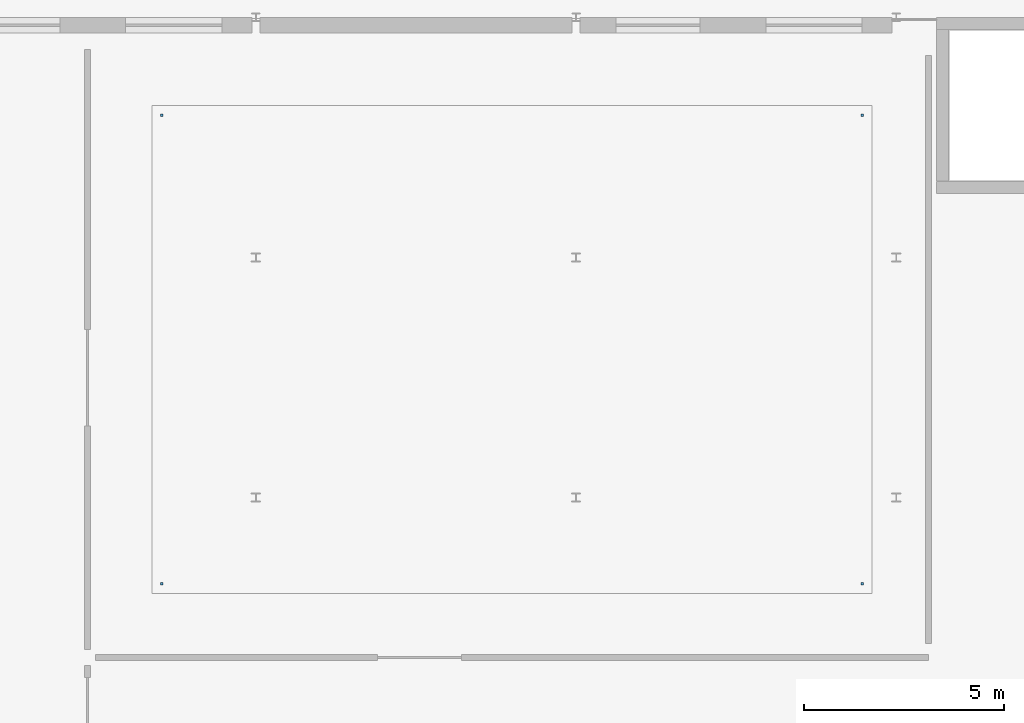
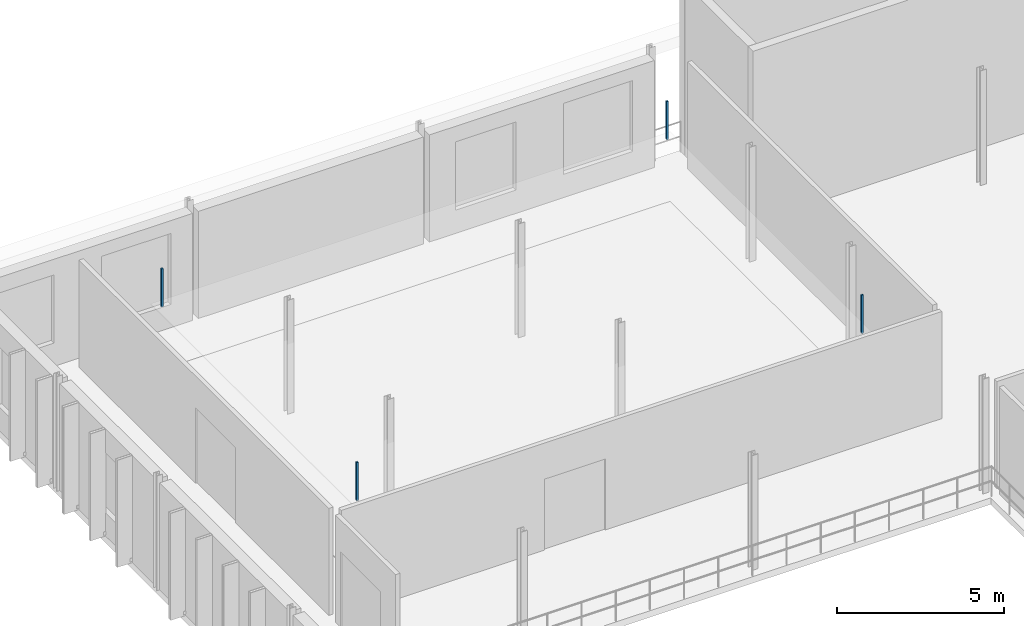
# One storey, part 50 of 67: 4 discrete accessories.
"""IFC4 building model written with IfcOpenShell, lengths in metres."""

from ifc_helpers import new_model, si_unit, direction, frame, origin, origin_2d, place, context, subcontext, project, spatial, rectangle, extrude, material, type_object, element, save


model = new_model("IFC4")

# Units and contexts
model_context = context("Model", 3, precision=1e-05, world=origin(), true_north=direction((0.0, 1.0)))
body_context = subcontext(model_context, "Body", "Model", "MODEL_VIEW")
ifc_project = project(units=[si_unit("LENGTHUNIT", "METRE"), si_unit("AREAUNIT", "SQUARE_METRE"), si_unit("VOLUMEUNIT", "CUBIC_METRE"), si_unit("PLANEANGLEUNIT", "RADIAN"), si_unit("MASSUNIT", "GRAM", prefix="KILO")], contexts=[model_context])

# Site, building, storey
site_placement = place(None, origin())
site = spatial("IfcSite", under=ifc_project, at=site_placement, CompositionType="ELEMENT")
building_placement = place(site_placement, origin())
building = spatial("IfcBuilding", under=site, at=building_placement, Name="Sundkrona Museum", CompositionType="ELEMENT")
storey_placement = place(building_placement, frame((0.0, 0.0, 21.800048828125)))
storey = spatial("IfcBuildingStorey", under=building, at=storey_placement, Name="L04", CompositionType="ELEMENT", Elevation=21.800048828125)

# Discrete accessories
ifc_material = material(Name="Stainless Steel EN 1.4404 Cleat", Category="steel")
discrete_accessory_type = type_object("IfcDiscreteAccessoryType", Name="BRK-FIN-01", PredefinedType="BRACKET", material=ifc_material)
for number, where, z_axis, x_axis, name in (
    (1, (21.64990234375, 99.85009765625, 2.550048828125), (0.0, 0.0, 1.0), (1.0, 0.0, 0.0), "L04 Design and Architecture Cabinet Ceiling Hanger 1"),
    (2, (39.14990234375, 99.85009765625, 2.550048828125), (0.0, 0.0, 1.0), (1.0, 0.0, 0.0), "L04 Design and Architecture Cabinet Ceiling Hanger 2"),
    (3, (39.14990234375, 111.550048828125, 2.550048828125), (0.0, 0.0, 1.0), (1.0, 0.0, 0.0), "L04 Design and Architecture Cabinet Ceiling Hanger 3"),
    (4, (21.64990234375, 111.550048828125, 2.550048828125), (0.0, 0.0, 1.0), (1.0, 0.0, 0.0), "L04 Design and Architecture Cabinet Ceiling Hanger 4"),
):
    element("IfcDiscreteAccessory", number, at=place(storey_placement, frame(where, z_axis=z_axis, x_axis=x_axis)), inside=storey, type_object=discrete_accessory_type, Name=name, PredefinedType="BRACKET", context=body_context, shape_type="SweptSolid", body=[
        extrude(rectangle(XDim=0.06005859375, YDim=0.06005859375, at=origin_2d()), origin(), (0.0, 0.0, 1.0), 1.39990234375),
    ])

save(model, "model.ifc")
